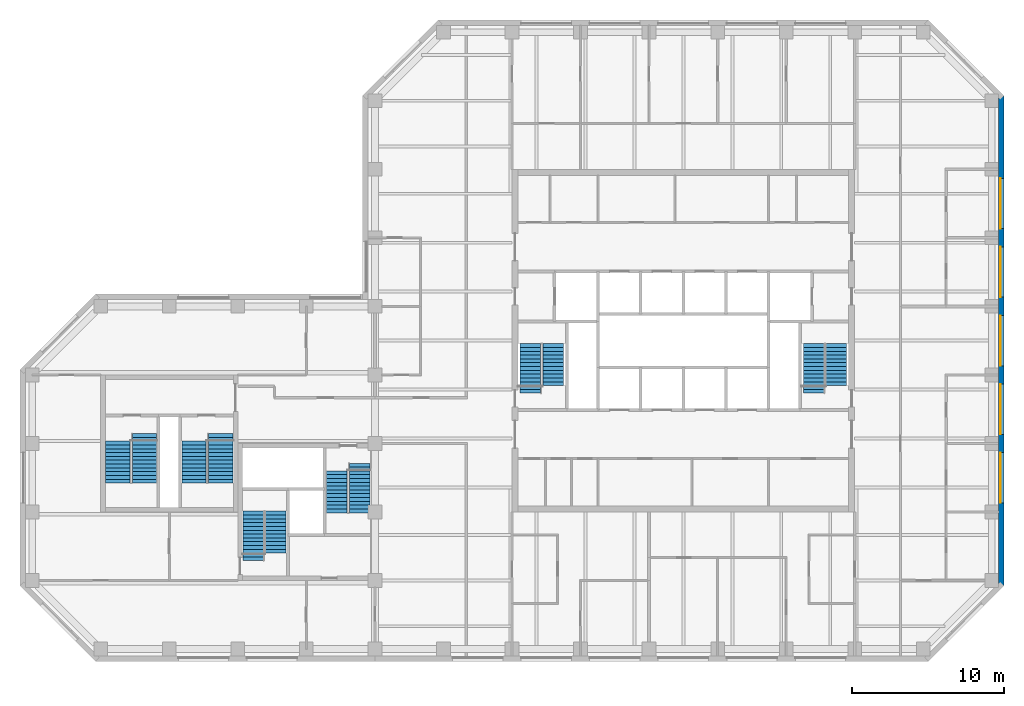
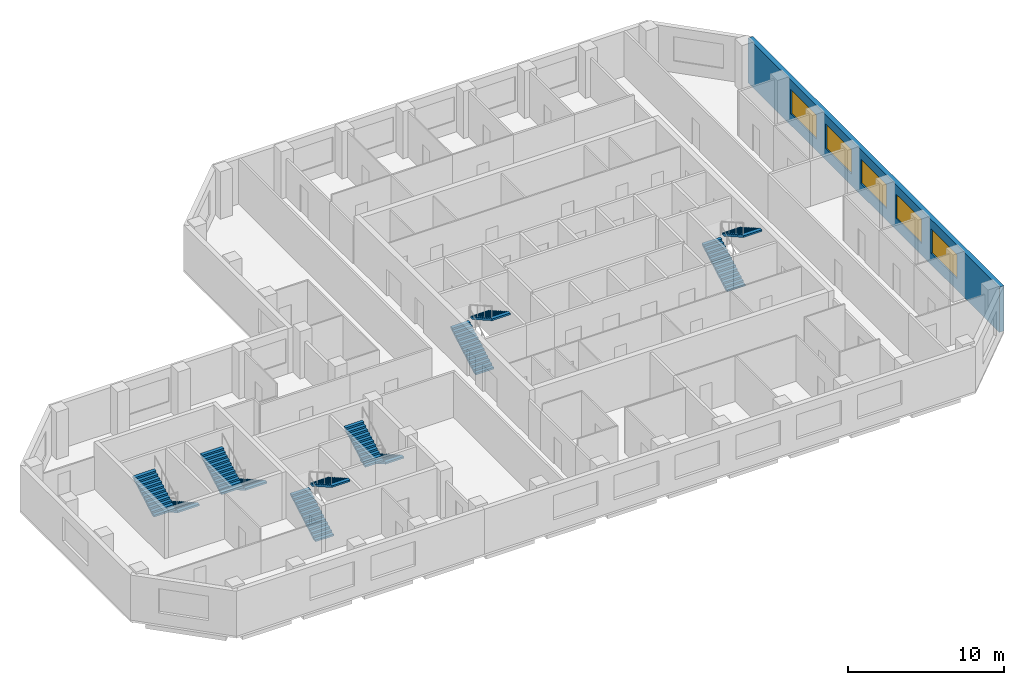
# One storey, part 8 of 9: 12 stair flights, 5 windows, 1 wall, 5 openings, 6 elements without a shape of their own.
"""IFC4 building model written with IfcOpenShell, lengths in metres."""

from ifc_helpers import new_model, si_unit, direction, frame, frame_2d, origin, place, context, subcontext, project, spatial, polyline, rectangle, outline, extrude, material, layer, layer_set, constituent, constituent_set, type_object, element, fill, aggregate, save


model = new_model("IFC4")

# Units and contexts
model_context = context("Model", 3, precision=1e-05, world=origin(), true_north=direction((0.0, 1.0)))
body_context = subcontext(model_context, "Body", "Model", "MODEL_VIEW")
ifc_project = project(units=[si_unit("LENGTHUNIT", "METRE"), si_unit("AREAUNIT", "SQUARE_METRE"), si_unit("VOLUMEUNIT", "CUBIC_METRE"), si_unit("PLANEANGLEUNIT", "RADIAN"), si_unit("MASSUNIT", "GRAM", prefix="KILO")], contexts=[model_context])

# Site, building, storey
site_placement = place(None, origin())
site = spatial("IfcSite", under=ifc_project, at=site_placement, CompositionType="ELEMENT")
building_placement = place(site_placement, origin())
building = spatial("IfcBuilding", under=site, at=building_placement, Name="Quoin Convention Tower", CompositionType="ELEMENT")
storey_placement = place(building_placement, frame((0.0, 0.0, 237.800048828125)))
storey = spatial("IfcBuildingStorey", under=building, at=storey_placement, Name="L62", CompositionType="ELEMENT", Elevation=237.800048828125)

# Wall, openings, windows
ifc_material_1 = material(Name="Brick masonry", Category="masonry")
ifc_layer = layer(ifc_material_1, 0.35009765625)
ifc_layer_set = layer_set([ifc_layer], Name="Brick masonry")
wall_type = type_object("IfcWallType", Name="Brick facade wall", PredefinedType="STANDARD", material=ifc_layer_set)
wall_placement = place(storey_placement, frame((77.125, 44.668701171875, 0.0), z_axis=(0.0, 0.0, 1.0), x_axis=(0.0, 1.0, 0.0)))
wall = element("IfcWall", 1, at=wall_placement, inside=storey, type_object=wall_type, Name="fw-L62-76500_45000", PredefinedType="STANDARD", context=body_context, shape_type="SweptSolid", body=[
    extrude(rectangle(XDim=32.16259765625, YDim=0.35009765625, at=frame_2d((16.081298828125, 0.0))), origin(), (0.0, 0.0, 1.0), 3.52490234375),
])
opening_1_placement = place(wall_placement, frame((5.431396484375, 0.0, 0.89990234375)))
opening_1 = element("IfcOpeningElement", 2, at=opening_1_placement, cuts=wall, Name="Opening W-02", PredefinedType="OPENING", context=body_context, shape_type="SweptSolid", body=[
    extrude(rectangle(XDim=3.300048828125, YDim=1.89990234375, at=frame_2d((1.64990234375, 0.949951171875))), frame((0.0, 0.18505859375, 0.0), z_axis=(0.0, -1.0, 0.0), x_axis=(1.0, 0.0, 0.0)), (0.0, 0.0, 1.0), 0.3701171875),
])
opening_2_placement = place(wall_placement, frame((9.931396484375, 0.0, 0.89990234375)))
opening_2 = element("IfcOpeningElement", 3, at=opening_2_placement, cuts=wall, Name="Opening W-02", PredefinedType="OPENING", context=body_context, shape_type="SweptSolid", body=[
    extrude(rectangle(XDim=3.300048828125, YDim=1.89990234375, at=frame_2d((1.64990234375, 0.949951171875))), frame((0.0, 0.18505859375, 0.0), z_axis=(0.0, -1.0, 0.0), x_axis=(1.0, 0.0, 0.0)), (0.0, 0.0, 1.0), 0.3701171875),
])
opening_3_placement = place(wall_placement, frame((14.431396484375, 0.0, 0.89990234375)))
opening_3 = element("IfcOpeningElement", 4, at=opening_3_placement, cuts=wall, Name="Opening W-02", PredefinedType="OPENING", context=body_context, shape_type="SweptSolid", body=[
    extrude(rectangle(XDim=3.300048828125, YDim=1.89990234375, at=frame_2d((1.64990234375, 0.949951171875))), frame((0.0, 0.18505859375, 0.0), z_axis=(0.0, -1.0, 0.0), x_axis=(1.0, 0.0, 0.0)), (0.0, 0.0, 1.0), 0.3701171875),
])
opening_4_placement = place(wall_placement, frame((18.931396484375, 0.0, 0.89990234375)))
opening_4 = element("IfcOpeningElement", 5, at=opening_4_placement, cuts=wall, Name="Opening W-02", PredefinedType="OPENING", context=body_context, shape_type="SweptSolid", body=[
    extrude(rectangle(XDim=3.300048828125, YDim=1.89990234375, at=frame_2d((1.64990234375, 0.949951171875))), frame((0.0, 0.18505859375, 0.0), z_axis=(0.0, -1.0, 0.0), x_axis=(1.0, 0.0, 0.0)), (0.0, 0.0, 1.0), 0.3701171875),
])
opening_5_placement = place(wall_placement, frame((23.431396484375, 0.0, 0.89990234375)))
opening_5 = element("IfcOpeningElement", 6, at=opening_5_placement, cuts=wall, Name="Opening W-02", PredefinedType="OPENING", context=body_context, shape_type="SweptSolid", body=[
    extrude(rectangle(XDim=3.300048828125, YDim=1.89990234375, at=frame_2d((1.64990234375, 0.949951171875))), frame((0.0, 0.18505859375, 0.0), z_axis=(0.0, -1.0, 0.0), x_axis=(1.0, 0.0, 0.0)), (0.0, 0.0, 1.0), 0.3701171875),
])
ifc_material_2 = material(Name="Aluminium", Category="aluminium")
ifc_constituent_1 = constituent(ifc_material_2, Name="Frame")
ifc_material_3 = material(Name="Insulated glass", Category="glass")
ifc_constituent_2 = constituent(ifc_material_3, Name="Glazing")
ifc_constituent_set = constituent_set(constituents=[ifc_constituent_1, ifc_constituent_2], Name="Aluminium")
window_type = type_object("IfcWindowType", Name="Office window", PartitioningType="DOUBLE_PANEL_VERTICAL", PredefinedType="WINDOW", material=ifc_constituent_set)
window_1_placement = place(opening_1_placement, origin())
window_1 = element("IfcWindow", 7, at=window_1_placement, inside=storey, type_object=window_type, Name="win-L62-77125_51750", OverallHeight=1.89990234375, OverallWidth=3.300048828125, PartitioningType="SINGLE_PANEL", PredefinedType="WINDOW", context=body_context, shape_type="SweptSolid", body=[
    extrude(rectangle(XDim=3.300048828125, YDim=1.89990234375, at=frame_2d((1.64990234375, 0.949951171875))), frame((0.0, 0.0849609375, 0.0), z_axis=(0.0, -1.0, 0.0), x_axis=(1.0, 0.0, 0.0)), (0.0, 0.0, 1.0), 0.06005859375),
])
fill(opening_1, window_1)
window_2_placement = place(opening_2_placement, origin())
window_2 = element("IfcWindow", 8, at=window_2_placement, inside=storey, type_object=window_type, Name="win-L62-77125_56250", OverallHeight=1.89990234375, OverallWidth=3.300048828125, PartitioningType="SINGLE_PANEL", PredefinedType="WINDOW", context=body_context, shape_type="SweptSolid", body=[
    extrude(rectangle(XDim=3.300048828125, YDim=1.89990234375, at=frame_2d((1.64990234375, 0.949951171875))), frame((0.0, 0.0849609375, 0.0), z_axis=(0.0, -1.0, 0.0), x_axis=(1.0, 0.0, 0.0)), (0.0, 0.0, 1.0), 0.06005859375),
])
fill(opening_2, window_2)
window_3_placement = place(opening_3_placement, origin())
window_3 = element("IfcWindow", 9, at=window_3_placement, inside=storey, type_object=window_type, Name="win-L62-77125_60750", OverallHeight=1.89990234375, OverallWidth=3.300048828125, PartitioningType="SINGLE_PANEL", PredefinedType="WINDOW", context=body_context, shape_type="SweptSolid", body=[
    extrude(rectangle(XDim=3.300048828125, YDim=1.89990234375, at=frame_2d((1.64990234375, 0.949951171875))), frame((0.0, 0.0849609375, 0.0), z_axis=(0.0, -1.0, 0.0), x_axis=(1.0, 0.0, 0.0)), (0.0, 0.0, 1.0), 0.06005859375),
])
fill(opening_3, window_3)
window_4_placement = place(opening_4_placement, origin())
window_4 = element("IfcWindow", 10, at=window_4_placement, inside=storey, type_object=window_type, Name="win-L62-77125_65250", OverallHeight=1.89990234375, OverallWidth=3.300048828125, PartitioningType="SINGLE_PANEL", PredefinedType="WINDOW", context=body_context, shape_type="SweptSolid", body=[
    extrude(rectangle(XDim=3.300048828125, YDim=1.89990234375, at=frame_2d((1.64990234375, 0.949951171875))), frame((0.0, 0.0849609375, 0.0), z_axis=(0.0, -1.0, 0.0), x_axis=(1.0, 0.0, 0.0)), (0.0, 0.0, 1.0), 0.06005859375),
])
fill(opening_4, window_4)
window_5_placement = place(opening_5_placement, origin())
window_5 = element("IfcWindow", 11, at=window_5_placement, inside=storey, type_object=window_type, Name="win-L62-77125_69750", OverallHeight=1.89990234375, OverallWidth=3.300048828125, PartitioningType="SINGLE_PANEL", PredefinedType="WINDOW", context=body_context, shape_type="SweptSolid", body=[
    extrude(rectangle(XDim=3.300048828125, YDim=1.89990234375, at=frame_2d((1.64990234375, 0.949951171875))), frame((0.0, 0.0849609375, 0.0), z_axis=(0.0, -1.0, 0.0), x_axis=(1.0, 0.0, 0.0)), (0.0, 0.0, 1.0), 0.06005859375),
])
fill(opening_5, window_5)

# Stair, stair flights
ifc_material_4 = material(Name="Concrete C40", Category="concrete")
stair_type_1 = type_object("IfcStairType", Name="Exit stair two-flight 1350", PredefinedType="HALF_TURN_STAIR", material=ifc_material_4)
stair_1_placement = place(storey_placement, origin())
stair_1 = element("IfcStair", 12, at=stair_1_placement, inside=storey, type_object=stair_type_1, Name="SD1 L62", PredefinedType="HALF_TURN_STAIR")
stair_flight_type_1 = type_object("IfcStairFlightType", Name="Stair flight 1350", PredefinedType="STRAIGHT", material=ifc_material_4)
stair_flight_1_placement = place(storey_placement, frame((46.199951171875, 57.300048828125, 0.0), z_axis=(0.0, 0.0, 1.0), x_axis=(0.0, 1.0, 0.0)))
stair_flight_1 = element("IfcStairFlight", 13, at=stair_flight_1_placement, type_object=stair_flight_type_1, Name="ST1 flight 1", NumberOfRisers=14, NumberOfTreads=13, PredefinedType="STRAIGHT", RiserHeight=0.142307692, TreadLength=0.25, context=body_context, shape_type="SweptSolid", body=[
    extrude(outline(polyline([(0.0, 0.0), (0.0, 0.142333984375), (0.25, 0.142333984375), (0.25, 0.28466796875), (0.5, 0.28466796875), (0.5, 0.427001953125), (0.75, 0.427001953125), (0.75, 0.5693359375), (1.0, 0.5693359375), (1.0, 0.71142578125), (1.25, 0.71142578125), (1.25, 0.853759765625), (1.5, 0.853759765625), (1.5, 0.99609375), (1.75, 0.99609375), (1.75, 1.138427734375), (2.0, 1.138427734375), (2.0, 1.28076171875), (2.25, 1.28076171875), (2.25, 1.423095703125), (2.5, 1.423095703125), (2.5, 1.5654296875), (2.75, 1.5654296875), (2.75, 1.707763671875), (3.0, 1.707763671875), (3.0, 1.85009765625), (3.25, 1.85009765625), (3.25, 1.9921875), (3.25, 1.711669921875), (0.242919921875, 0.0), (0.0, 0.0)])), frame((0.0, 0.675048828125, 0.0), z_axis=(0.0, -1.0, 0.0), x_axis=(1.0, 0.0, 0.0)), (0.0, 0.0, 1.0), 1.35009765625),
])
stair_flight_2_placement = place(storey_placement, frame((47.699951171875, 60.550048828125, 1.9921875), z_axis=(0.0, 0.0, 1.0), x_axis=(0.0, -1.0, 0.0)))
stair_flight_2 = element("IfcStairFlight", 14, at=stair_flight_2_placement, type_object=stair_flight_type_1, Name="ST1 flight 2", NumberOfRisers=12, NumberOfTreads=11, PredefinedType="STRAIGHT", RiserHeight=0.142307692, TreadLength=0.25, context=body_context, shape_type="SweptSolid", body=[
    extrude(outline(polyline([(0.0, 0.0), (0.0, 0.142333984375), (0.25, 0.142333984375), (0.25, 0.28466796875), (0.5, 0.28466796875), (0.5, 0.427001953125), (0.75, 0.427001953125), (0.75, 0.5693359375), (1.0, 0.5693359375), (1.0, 0.71142578125), (1.25, 0.71142578125), (1.25, 0.853759765625), (1.5, 0.853759765625), (1.5, 0.99609375), (1.75, 0.99609375), (1.75, 1.138427734375), (2.0, 1.138427734375), (2.0, 1.28076171875), (2.25, 1.28076171875), (2.25, 1.423095703125), (2.5, 1.423095703125), (2.5, 1.5654296875), (2.75, 1.5654296875), (2.75, 1.707763671875), (2.75, 1.42724609375), (0.242919921875, 0.0), (0.0, 0.0)])), frame((0.0, 0.675048828125, 0.0), z_axis=(0.0, -1.0, 0.0), x_axis=(1.0, 0.0, 0.0)), (0.0, 0.0, 1.0), 1.35009765625),
])
aggregate(stair_1, [stair_flight_1, stair_flight_2])

stair_2_placement = place(storey_placement, origin())
stair_2 = element("IfcStair", 15, at=stair_2_placement, inside=storey, type_object=stair_type_1, Name="SD2 L62", PredefinedType="HALF_TURN_STAIR")
stair_flight_3_placement = place(storey_placement, frame((64.800048828125, 57.300048828125, 0.0), z_axis=(0.0, 0.0, 1.0), x_axis=(0.0, 1.0, 0.0)))
stair_flight_3 = element("IfcStairFlight", 16, at=stair_flight_3_placement, type_object=stair_flight_type_1, Name="ST2 flight 1", NumberOfRisers=14, NumberOfTreads=13, PredefinedType="STRAIGHT", RiserHeight=0.142307692, TreadLength=0.25, context=body_context, shape_type="SweptSolid", body=[
    extrude(outline(polyline([(0.0, 0.0), (0.0, 0.142333984375), (0.25, 0.142333984375), (0.25, 0.28466796875), (0.5, 0.28466796875), (0.5, 0.427001953125), (0.75, 0.427001953125), (0.75, 0.5693359375), (1.0, 0.5693359375), (1.0, 0.71142578125), (1.25, 0.71142578125), (1.25, 0.853759765625), (1.5, 0.853759765625), (1.5, 0.99609375), (1.75, 0.99609375), (1.75, 1.138427734375), (2.0, 1.138427734375), (2.0, 1.28076171875), (2.25, 1.28076171875), (2.25, 1.423095703125), (2.5, 1.423095703125), (2.5, 1.5654296875), (2.75, 1.5654296875), (2.75, 1.707763671875), (3.0, 1.707763671875), (3.0, 1.85009765625), (3.25, 1.85009765625), (3.25, 1.9921875), (3.25, 1.711669921875), (0.242919921875, 0.0), (0.0, 0.0)])), frame((0.0, 0.675048828125, 0.0), z_axis=(0.0, -1.0, 0.0), x_axis=(1.0, 0.0, 0.0)), (0.0, 0.0, 1.0), 1.35009765625),
])
stair_flight_4_placement = place(storey_placement, frame((66.300048828125, 60.550048828125, 1.9921875), z_axis=(0.0, 0.0, 1.0), x_axis=(0.0, -1.0, 0.0)))
stair_flight_4 = element("IfcStairFlight", 17, at=stair_flight_4_placement, type_object=stair_flight_type_1, Name="ST2 flight 2", NumberOfRisers=12, NumberOfTreads=11, PredefinedType="STRAIGHT", RiserHeight=0.142307692, TreadLength=0.25, context=body_context, shape_type="SweptSolid", body=[
    extrude(outline(polyline([(0.0, 0.0), (0.0, 0.142333984375), (0.25, 0.142333984375), (0.25, 0.28466796875), (0.5, 0.28466796875), (0.5, 0.427001953125), (0.75, 0.427001953125), (0.75, 0.5693359375), (1.0, 0.5693359375), (1.0, 0.71142578125), (1.25, 0.71142578125), (1.25, 0.853759765625), (1.5, 0.853759765625), (1.5, 0.99609375), (1.75, 0.99609375), (1.75, 1.138427734375), (2.0, 1.138427734375), (2.0, 1.28076171875), (2.25, 1.28076171875), (2.25, 1.423095703125), (2.5, 1.423095703125), (2.5, 1.5654296875), (2.75, 1.5654296875), (2.75, 1.707763671875), (2.75, 1.42724609375), (0.242919921875, 0.0), (0.0, 0.0)])), frame((0.0, 0.675048828125, 0.0), z_axis=(0.0, -1.0, 0.0), x_axis=(1.0, 0.0, 0.0)), (0.0, 0.0, 1.0), 1.35009765625),
])
aggregate(stair_2, [stair_flight_3, stair_flight_4])

stair_3_placement = place(storey_placement, origin())
stair_3 = element("IfcStair", 18, at=stair_3_placement, inside=storey, type_object=stair_type_1, Name="SD3 L62", PredefinedType="HALF_TURN_STAIR")
stair_flight_5_placement = place(storey_placement, frame((28.0, 46.300048828125, 0.0), z_axis=(0.0, 0.0, 1.0), x_axis=(0.0, 1.0, 0.0)))
stair_flight_5 = element("IfcStairFlight", 19, at=stair_flight_5_placement, type_object=stair_flight_type_1, Name="ST3 flight 1", NumberOfRisers=14, NumberOfTreads=13, PredefinedType="STRAIGHT", RiserHeight=0.142307692, TreadLength=0.25, context=body_context, shape_type="SweptSolid", body=[
    extrude(outline(polyline([(0.0, 0.0), (0.0, 0.142333984375), (0.25, 0.142333984375), (0.25, 0.28466796875), (0.5, 0.28466796875), (0.5, 0.427001953125), (0.75, 0.427001953125), (0.75, 0.5693359375), (1.0, 0.5693359375), (1.0, 0.71142578125), (1.25, 0.71142578125), (1.25, 0.853759765625), (1.5, 0.853759765625), (1.5, 0.99609375), (1.75, 0.99609375), (1.75, 1.138427734375), (2.0, 1.138427734375), (2.0, 1.28076171875), (2.25, 1.28076171875), (2.25, 1.423095703125), (2.5, 1.423095703125), (2.5, 1.5654296875), (2.75, 1.5654296875), (2.75, 1.707763671875), (3.0, 1.707763671875), (3.0, 1.85009765625), (3.25, 1.85009765625), (3.25, 1.9921875), (3.25, 1.711669921875), (0.242919921875, 0.0), (0.0, 0.0)])), frame((0.0, 0.675048828125, 0.0), z_axis=(0.0, -1.0, 0.0), x_axis=(1.0, 0.0, 0.0)), (0.0, 0.0, 1.0), 1.35009765625),
])
stair_flight_6_placement = place(storey_placement, frame((29.5, 49.550048828125, 1.9921875), z_axis=(0.0, 0.0, 1.0), x_axis=(0.0, -1.0, 0.0)))
stair_flight_6 = element("IfcStairFlight", 20, at=stair_flight_6_placement, type_object=stair_flight_type_1, Name="ST3 flight 2", NumberOfRisers=12, NumberOfTreads=11, PredefinedType="STRAIGHT", RiserHeight=0.142307692, TreadLength=0.25, context=body_context, shape_type="SweptSolid", body=[
    extrude(outline(polyline([(0.0, 0.0), (0.0, 0.142333984375), (0.25, 0.142333984375), (0.25, 0.28466796875), (0.5, 0.28466796875), (0.5, 0.427001953125), (0.75, 0.427001953125), (0.75, 0.5693359375), (1.0, 0.5693359375), (1.0, 0.71142578125), (1.25, 0.71142578125), (1.25, 0.853759765625), (1.5, 0.853759765625), (1.5, 0.99609375), (1.75, 0.99609375), (1.75, 1.138427734375), (2.0, 1.138427734375), (2.0, 1.28076171875), (2.25, 1.28076171875), (2.25, 1.423095703125), (2.5, 1.423095703125), (2.5, 1.5654296875), (2.75, 1.5654296875), (2.75, 1.707763671875), (2.75, 1.42724609375), (0.242919921875, 0.0), (0.0, 0.0)])), frame((0.0, 0.675048828125, 0.0), z_axis=(0.0, -1.0, 0.0), x_axis=(1.0, 0.0, 0.0)), (0.0, 0.0, 1.0), 1.35009765625),
])
aggregate(stair_3, [stair_flight_5, stair_flight_6])

stair_4_placement = place(storey_placement, origin())
stair_4 = element("IfcStair", 21, at=stair_4_placement, inside=storey, type_object=stair_type_1, Name="SD4 L62", PredefinedType="HALF_TURN_STAIR")
stair_flight_7_placement = place(storey_placement, frame((35.0, 52.699951171875, 0.0), z_axis=(0.0, 0.0, 1.0), x_axis=(0.0, -1.0, 0.0)))
stair_flight_7 = element("IfcStairFlight", 22, at=stair_flight_7_placement, type_object=stair_flight_type_1, Name="ST4 flight 1", NumberOfRisers=14, NumberOfTreads=13, PredefinedType="STRAIGHT", RiserHeight=0.142307692, TreadLength=0.25, context=body_context, shape_type="SweptSolid", body=[
    extrude(outline(polyline([(0.0, 0.0), (0.0, 0.142333984375), (0.25, 0.142333984375), (0.25, 0.28466796875), (0.5, 0.28466796875), (0.5, 0.427001953125), (0.75, 0.427001953125), (0.75, 0.5693359375), (1.0, 0.5693359375), (1.0, 0.71142578125), (1.25, 0.71142578125), (1.25, 0.853759765625), (1.5, 0.853759765625), (1.5, 0.99609375), (1.75, 0.99609375), (1.75, 1.138427734375), (2.0, 1.138427734375), (2.0, 1.28076171875), (2.25, 1.28076171875), (2.25, 1.423095703125), (2.5, 1.423095703125), (2.5, 1.5654296875), (2.75, 1.5654296875), (2.75, 1.707763671875), (3.0, 1.707763671875), (3.0, 1.85009765625), (3.25, 1.85009765625), (3.25, 1.9921875), (3.25, 1.711669921875), (0.242919921875, 0.0), (0.0, 0.0)])), frame((0.0, 0.675048828125, 0.0), z_axis=(0.0, -1.0, 0.0), x_axis=(1.0, 0.0, 0.0)), (0.0, 0.0, 1.0), 1.35009765625),
])
stair_flight_8_placement = place(storey_placement, frame((33.5, 49.449951171875, 1.9921875), z_axis=(0.0, 0.0, 1.0), x_axis=(0.0, 1.0, 0.0)))
stair_flight_8 = element("IfcStairFlight", 23, at=stair_flight_8_placement, type_object=stair_flight_type_1, Name="ST4 flight 2", NumberOfRisers=12, NumberOfTreads=11, PredefinedType="STRAIGHT", RiserHeight=0.142307692, TreadLength=0.25, context=body_context, shape_type="SweptSolid", body=[
    extrude(outline(polyline([(0.0, 0.0), (0.0, 0.142333984375), (0.25, 0.142333984375), (0.25, 0.28466796875), (0.5, 0.28466796875), (0.5, 0.427001953125), (0.75, 0.427001953125), (0.75, 0.5693359375), (1.0, 0.5693359375), (1.0, 0.71142578125), (1.25, 0.71142578125), (1.25, 0.853759765625), (1.5, 0.853759765625), (1.5, 0.99609375), (1.75, 0.99609375), (1.75, 1.138427734375), (2.0, 1.138427734375), (2.0, 1.28076171875), (2.25, 1.28076171875), (2.25, 1.423095703125), (2.5, 1.423095703125), (2.5, 1.5654296875), (2.75, 1.5654296875), (2.75, 1.707763671875), (2.75, 1.42724609375), (0.242919921875, 0.0), (0.0, 0.0)])), frame((0.0, 0.675048828125, 0.0), z_axis=(0.0, -1.0, 0.0), x_axis=(1.0, 0.0, 0.0)), (0.0, 0.0, 1.0), 1.35009765625),
])
aggregate(stair_4, [stair_flight_7, stair_flight_8])

stair_type_2 = type_object("IfcStairType", Name="Exit stair two-flight 1600", PredefinedType="HALF_TURN_STAIR", material=ifc_material_4)
stair_5_placement = place(storey_placement, origin())
stair_5 = element("IfcStair", 24, at=stair_5_placement, inside=storey, type_object=stair_type_2, Name="SD11 L62", PredefinedType="HALF_TURN_STAIR")
stair_flight_type_2 = type_object("IfcStairFlightType", Name="Stair flight 1600", PredefinedType="STRAIGHT", material=ifc_material_4)
stair_flight_9_placement = place(storey_placement, frame((20.875, 54.64990234375, 0.0), z_axis=(0.0, 0.0, 1.0), x_axis=(0.0, -1.0, 0.0)))
stair_flight_9 = element("IfcStairFlight", 25, at=stair_flight_9_placement, type_object=stair_flight_type_2, Name="ST11 flight 1", NumberOfRisers=14, NumberOfTreads=13, PredefinedType="STRAIGHT", RiserHeight=0.142307692, TreadLength=0.25, context=body_context, shape_type="SweptSolid", body=[
    extrude(outline(polyline([(0.0, 0.0), (0.0, 0.142333984375), (0.25, 0.142333984375), (0.25, 0.28466796875), (0.5, 0.28466796875), (0.5, 0.427001953125), (0.75, 0.427001953125), (0.75, 0.5693359375), (1.0, 0.5693359375), (1.0, 0.71142578125), (1.25, 0.71142578125), (1.25, 0.853759765625), (1.5, 0.853759765625), (1.5, 0.99609375), (1.75, 0.99609375), (1.75, 1.138427734375), (2.0, 1.138427734375), (2.0, 1.28076171875), (2.25, 1.28076171875), (2.25, 1.423095703125), (2.5, 1.423095703125), (2.5, 1.5654296875), (2.75, 1.5654296875), (2.75, 1.707763671875), (3.0, 1.707763671875), (3.0, 1.85009765625), (3.25, 1.85009765625), (3.25, 1.9921875), (3.25, 1.711669921875), (0.242919921875, 0.0), (0.0, 0.0)])), frame((0.0, 0.800048828125, 0.0), z_axis=(0.0, -1.0, 0.0), x_axis=(1.0, 0.0, 0.0)), (0.0, 0.0, 1.0), 1.60009765625),
])
stair_flight_10_placement = place(storey_placement, frame((19.125, 51.39990234375, 1.9921875), z_axis=(0.0, 0.0, 1.0), x_axis=(0.0, 1.0, 0.0)))
stair_flight_10 = element("IfcStairFlight", 26, at=stair_flight_10_placement, type_object=stair_flight_type_2, Name="ST11 flight 2", NumberOfRisers=12, NumberOfTreads=11, PredefinedType="STRAIGHT", RiserHeight=0.142307692, TreadLength=0.25, context=body_context, shape_type="SweptSolid", body=[
    extrude(outline(polyline([(0.0, 0.0), (0.0, 0.142333984375), (0.25, 0.142333984375), (0.25, 0.28466796875), (0.5, 0.28466796875), (0.5, 0.427001953125), (0.75, 0.427001953125), (0.75, 0.5693359375), (1.0, 0.5693359375), (1.0, 0.71142578125), (1.25, 0.71142578125), (1.25, 0.853759765625), (1.5, 0.853759765625), (1.5, 0.99609375), (1.75, 0.99609375), (1.75, 1.138427734375), (2.0, 1.138427734375), (2.0, 1.28076171875), (2.25, 1.28076171875), (2.25, 1.423095703125), (2.5, 1.423095703125), (2.5, 1.5654296875), (2.75, 1.5654296875), (2.75, 1.707763671875), (2.75, 1.42724609375), (0.242919921875, 0.0), (0.0, 0.0)])), frame((0.0, 0.800048828125, 0.0), z_axis=(0.0, -1.0, 0.0), x_axis=(1.0, 0.0, 0.0)), (0.0, 0.0, 1.0), 1.60009765625),
])
aggregate(stair_5, [stair_flight_9, stair_flight_10])

stair_6_placement = place(storey_placement, origin())
stair_6 = element("IfcStair", 27, at=stair_6_placement, inside=storey, type_object=stair_type_2, Name="SD12 L62", PredefinedType="HALF_TURN_STAIR")
stair_flight_11_placement = place(storey_placement, frame((25.875, 54.64990234375, 0.0), z_axis=(0.0, 0.0, 1.0), x_axis=(0.0, -1.0, 0.0)))
stair_flight_11 = element("IfcStairFlight", 28, at=stair_flight_11_placement, type_object=stair_flight_type_2, Name="ST12 flight 1", NumberOfRisers=14, NumberOfTreads=13, PredefinedType="STRAIGHT", RiserHeight=0.142307692, TreadLength=0.25, context=body_context, shape_type="SweptSolid", body=[
    extrude(outline(polyline([(0.0, 0.0), (0.0, 0.142333984375), (0.25, 0.142333984375), (0.25, 0.28466796875), (0.5, 0.28466796875), (0.5, 0.427001953125), (0.75, 0.427001953125), (0.75, 0.5693359375), (1.0, 0.5693359375), (1.0, 0.71142578125), (1.25, 0.71142578125), (1.25, 0.853759765625), (1.5, 0.853759765625), (1.5, 0.99609375), (1.75, 0.99609375), (1.75, 1.138427734375), (2.0, 1.138427734375), (2.0, 1.28076171875), (2.25, 1.28076171875), (2.25, 1.423095703125), (2.5, 1.423095703125), (2.5, 1.5654296875), (2.75, 1.5654296875), (2.75, 1.707763671875), (3.0, 1.707763671875), (3.0, 1.85009765625), (3.25, 1.85009765625), (3.25, 1.9921875), (3.25, 1.711669921875), (0.242919921875, 0.0), (0.0, 0.0)])), frame((0.0, 0.800048828125, 0.0), z_axis=(0.0, -1.0, 0.0), x_axis=(1.0, 0.0, 0.0)), (0.0, 0.0, 1.0), 1.60009765625),
])
stair_flight_12_placement = place(storey_placement, frame((24.125, 51.39990234375, 1.9921875), z_axis=(0.0, 0.0, 1.0), x_axis=(0.0, 1.0, 0.0)))
stair_flight_12 = element("IfcStairFlight", 29, at=stair_flight_12_placement, type_object=stair_flight_type_2, Name="ST12 flight 2", NumberOfRisers=12, NumberOfTreads=11, PredefinedType="STRAIGHT", RiserHeight=0.142307692, TreadLength=0.25, context=body_context, shape_type="SweptSolid", body=[
    extrude(outline(polyline([(0.0, 0.0), (0.0, 0.142333984375), (0.25, 0.142333984375), (0.25, 0.28466796875), (0.5, 0.28466796875), (0.5, 0.427001953125), (0.75, 0.427001953125), (0.75, 0.5693359375), (1.0, 0.5693359375), (1.0, 0.71142578125), (1.25, 0.71142578125), (1.25, 0.853759765625), (1.5, 0.853759765625), (1.5, 0.99609375), (1.75, 0.99609375), (1.75, 1.138427734375), (2.0, 1.138427734375), (2.0, 1.28076171875), (2.25, 1.28076171875), (2.25, 1.423095703125), (2.5, 1.423095703125), (2.5, 1.5654296875), (2.75, 1.5654296875), (2.75, 1.707763671875), (2.75, 1.42724609375), (0.242919921875, 0.0), (0.0, 0.0)])), frame((0.0, 0.800048828125, 0.0), z_axis=(0.0, -1.0, 0.0), x_axis=(1.0, 0.0, 0.0)), (0.0, 0.0, 1.0), 1.60009765625),
])
aggregate(stair_6, [stair_flight_11, stair_flight_12])

save(model, "model.ifc")
